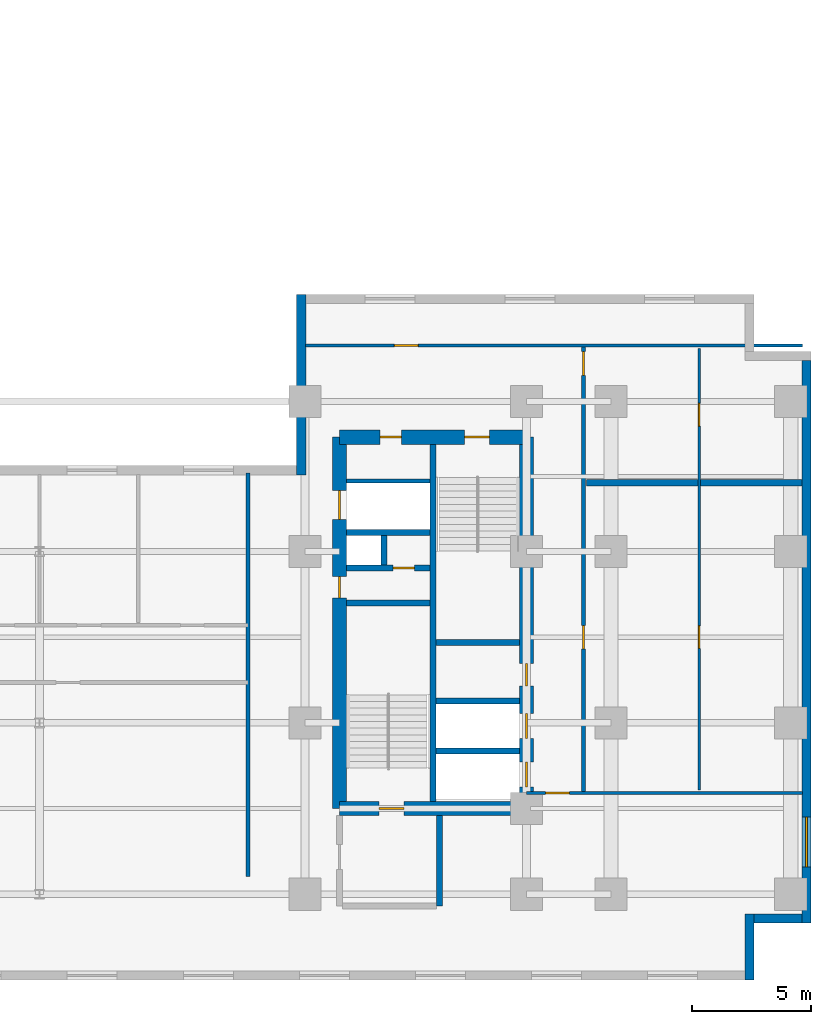
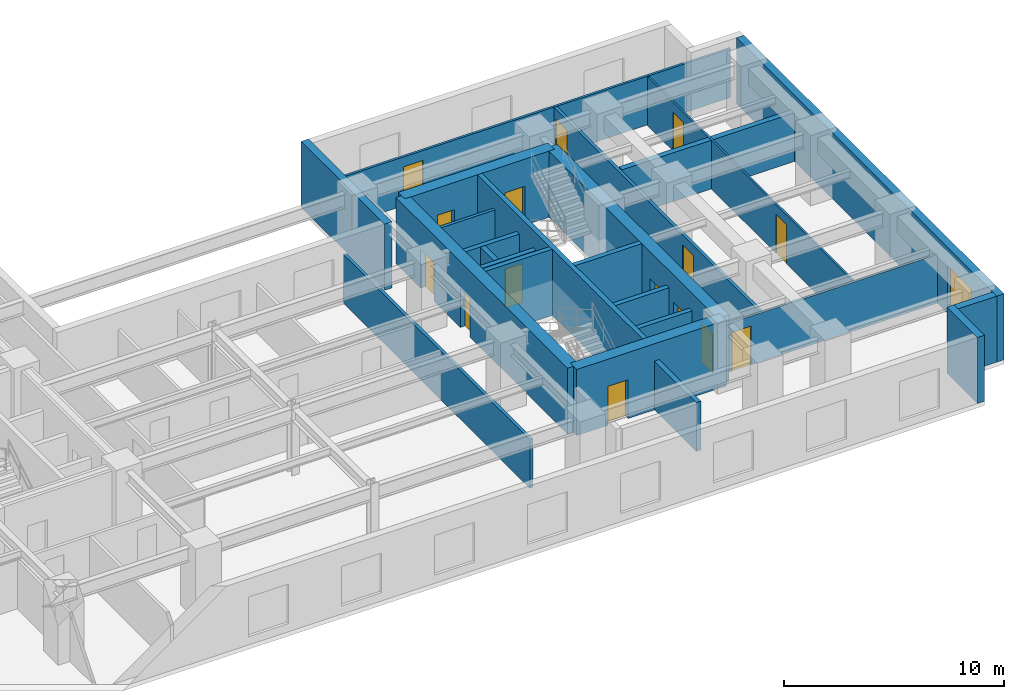
# One storey, part 5 of 9: 24 walls, 15 doors, 1 window, 16 openings.
"""IFC4 building model written with IfcOpenShell, lengths in metres."""

from ifc_helpers import new_model, entity, si_unit, converted_unit, direction, frame, origin_with_axes, origin_2d_with_axis, place, context, subcontext, project, spatial, polyline, rectangle, outline, extrude, material, layer, layer_set, type_object, element, fill, save


model = new_model("IFC4")

# Units and contexts
model_context = context("Model", 3, precision=1e-05, world=origin_with_axes(), true_north=direction((0.0, 1.0)))
body_context = subcontext(model_context, "Body", "Model", "MODEL_VIEW")
ifc_project = project(units=[si_unit("LENGTHUNIT", "METRE"), si_unit("AREAUNIT", "SQUARE_METRE"), si_unit("VOLUMEUNIT", "CUBIC_METRE"), converted_unit("PLANEANGLEUNIT", "DEGREE", entity("IfcPlaneAngleMeasure", 0.017453292519943295), si_unit("PLANEANGLEUNIT", "RADIAN"), dimensions=[0, 0, 0, 0, 0, 0, 0]), si_unit("MASSUNIT", "GRAM", prefix="KILO"), si_unit("THERMODYNAMICTEMPERATUREUNIT", "KELVIN")], contexts=[model_context])

# Site, building, storey
site_placement = place(None, origin_with_axes())
site = spatial("IfcSite", under=ifc_project, at=site_placement, CompositionType="ELEMENT")
building_placement = place(site_placement, origin_with_axes())
building = spatial("IfcBuilding", under=site, at=building_placement, Name="Varnlund Millrace Tower", CompositionType="ELEMENT")
storey_placement = place(building_placement, frame((0.0, 0.0, 63.9), z_axis=(0.0, 0.0, 1.0), x_axis=(1.0, 0.0, 0.0)))
storey = spatial("IfcBuildingStorey", under=building, at=storey_placement, Name="L15", CompositionType="ELEMENT", Elevation=63.9)

# Wall, openings, doors
ifc_material_1 = material(Name="Concrete C80/95", Category="concrete")
ifc_layer_1 = layer(ifc_material_1, 0.6, Name="Concrete C80/95")
ifc_layer_set_1 = layer_set([ifc_layer_1], Name="Concrete C80/95")
wall_type_1 = type_object("IfcWallType", Name="Type-CoreWall-Shear-600-C80", PredefinedType="SHEAR", material=ifc_layer_set_1)
wall_1_placement = place(storey_placement, frame((40.2, 7.2, 0.0), z_axis=(0.0, 0.0, 1.0), x_axis=(0.0, 1.0, 0.0)))
wall_1 = element("IfcWall", 1, at=wall_1_placement, inside=storey, type_object=wall_type_1, Name="Type-CoreWall-Shear-600-C80", PredefinedType="SHEAR", context=body_context, shape_type="SweptSolid", body=[
    extrude(outline(polyline([(0.0, -0.3), (15.6, -0.3), (15.6, 0.3), (0.0, 0.3), (0.0, -0.3)])), origin_with_axes(), (0.0, 0.0, 1.0), 3.66),
])
opening_1_placement = place(wall_1_placement, frame((12.75, 0.0, 0.0), z_axis=(0.0, 0.0, 1.0), x_axis=(1.0, 0.0, 0.0)))
opening_1 = element("IfcOpeningElement", 2, at=opening_1_placement, cuts=wall_1, Name="Opening L15:LD-SRV2", PredefinedType="OPENING", context=body_context, shape_type="SweptSolid", body=[
    extrude(rectangle(XDim=1.2, YDim=0.62, at=origin_2d_with_axis()), origin_with_axes(), (0.0, 0.0, 1.0), 2.15),
])
opening_2_placement = place(wall_1_placement, frame((9.3, 0.0, 0.0), z_axis=(0.0, 0.0, 1.0), x_axis=(1.0, 0.0, 0.0)))
opening_2 = element("IfcOpeningElement", 3, at=opening_2_placement, cuts=wall_1, Name="Opening L15:DR-CB-JAN", PredefinedType="OPENING", context=body_context, shape_type="SweptSolid", body=[
    extrude(rectangle(XDim=0.9, YDim=0.62, at=origin_2d_with_axis()), origin_with_axes(), (0.0, 0.0, 1.0), 2.15),
])
ifc_material_2 = material(Name="Fire-rated hollow steel service closet door", Category="steel")
door_type_1 = type_object("IfcDoorType", Name="Type-FireDoor-Closet-900X2150", OperationType="NOTDEFINED", PredefinedType="DOOR", material=ifc_material_2)
door_1_placement = place(wall_1_placement, frame((9.3, 0.0, 0.0), z_axis=(0.0, 0.0, 1.0), x_axis=(1.0, 0.0, 0.0)))
door_1 = element("IfcDoor", 4, at=door_1_placement, inside=storey, type_object=door_type_1, Name="Type-FireDoor-Closet-900X2150", OperationType="SINGLE_SWING_RIGHT", OverallHeight=2.15, OverallWidth=0.9, PredefinedType="DOOR", context=body_context, shape_type="SweptSolid", body=[
    extrude(rectangle(XDim=0.9, YDim=0.09, at=origin_2d_with_axis()), origin_with_axes(), (0.0, 0.0, 1.0), 2.15),
])
fill(opening_2, door_1)
ifc_material_3 = material(Name="Heavy-duty freight sliding landing door")
door_type_2 = type_object("IfcDoorType", Name="Type-LiftLandingDoor-Service-1200X2150", OperationType="NOTDEFINED", PredefinedType="DOOR", material=ifc_material_3)
door_2_placement = place(wall_1_placement, frame((12.75, 0.0, 0.0), z_axis=(0.0, 0.0, 1.0), x_axis=(1.0, 0.0, 0.0)))
door_2 = element("IfcDoor", 5, at=door_2_placement, inside=storey, type_object=door_type_2, Name="Type-LiftLandingDoor-Service-1200X2150", OperationType="DOUBLE_DOOR_SLIDING", OverallHeight=2.15, OverallWidth=1.2, PredefinedType="DOOR", context=body_context, shape_type="SweptSolid", body=[
    extrude(rectangle(XDim=1.2, YDim=0.09, at=origin_2d_with_axis()), origin_with_axes(), (0.0, 0.0, 1.0), 2.15),
])
fill(opening_1, door_2)

# Wall, opening, door
wall_2_placement = place(storey_placement, frame((40.2, 7.2, 0.0), z_axis=(0.0, 0.0, 1.0), x_axis=(1.0, 0.0, 0.0)))
wall_2 = element("IfcWall", 6, at=wall_2_placement, inside=storey, type_object=wall_type_1, Name="Type-CoreWall-Shear-600-C80", PredefinedType="SHEAR", context=body_context, shape_type="SweptSolid", body=[
    extrude(outline(polyline([(0.0, -0.3), (7.85, -0.3), (7.85, 0.3), (0.0, 0.3), (0.0, -0.3)])), origin_with_axes(), (0.0, 0.0, 1.0), 3.66),
])
opening_3_placement = place(wall_2_placement, frame((2.175, 0.0, 0.0), z_axis=(0.0, 0.0, 1.0), x_axis=(1.0, 0.0, 0.0)))
opening_3 = element("IfcOpeningElement", 7, at=opening_3_placement, cuts=wall_2, Name="Opening L15:DR-STB1", PredefinedType="OPENING", context=body_context, shape_type="SweptSolid", body=[
    extrude(rectangle(XDim=1.05, YDim=0.62, at=origin_2d_with_axis()), origin_with_axes(), (0.0, 0.0, 1.0), 2.15),
])
ifc_material_4 = material(Name="Fire-rated hollow steel door", Category="steel")
door_type_3 = type_object("IfcDoorType", Name="Type-FireDoor-Stair-1050X2150", OperationType="NOTDEFINED", PredefinedType="DOOR", material=ifc_material_4)
door_3_placement = place(wall_2_placement, frame((2.175, 0.0, 0.0), z_axis=(0.0, 0.0, 1.0), x_axis=(1.0, 0.0, 0.0)))
door_3 = element("IfcDoor", 8, at=door_3_placement, inside=storey, type_object=door_type_3, Name="Type-FireDoor-Stair-1050X2150", OperationType="SINGLE_SWING_LEFT", OverallHeight=2.15, OverallWidth=1.05, PredefinedType="DOOR", context=body_context, shape_type="SweptSolid", body=[
    extrude(rectangle(XDim=1.05, YDim=0.09, at=origin_2d_with_axis()), origin_with_axes(), (0.0, 0.0, 1.0), 2.15),
])
fill(opening_3, door_3)

# Wall, openings, doors
wall_3_placement = place(storey_placement, frame((40.2, 22.8, 0.0), z_axis=(0.0, 0.0, 1.0), x_axis=(1.0, 0.0, 0.0)))
wall_3 = element("IfcWall", 9, at=wall_3_placement, inside=storey, type_object=wall_type_1, Name="Type-CoreWall-Shear-600-C80", PredefinedType="SHEAR", context=body_context, shape_type="SweptSolid", body=[
    extrude(outline(polyline([(0.0, -0.3), (7.85, -0.3), (7.85, 0.3), (0.0, 0.3), (0.0, -0.3)])), origin_with_axes(), (0.0, 0.0, 1.0), 3.66),
])
opening_4_placement = place(wall_3_placement, frame((5.775, 0.0, 0.0), z_axis=(0.0, 0.0, 1.0), x_axis=(1.0, 0.0, 0.0)))
opening_4 = element("IfcOpeningElement", 10, at=opening_4_placement, cuts=wall_3, Name="Opening L15:DR-STB2", PredefinedType="OPENING", context=body_context, shape_type="SweptSolid", body=[
    extrude(rectangle(XDim=1.05, YDim=0.62, at=origin_2d_with_axis()), origin_with_axes(), (0.0, 0.0, 1.0), 2.15),
])
opening_5_placement = place(wall_3_placement, frame((2.15, 0.0, 0.0), z_axis=(0.0, 0.0, 1.0), x_axis=(1.0, 0.0, 0.0)))
opening_5 = element("IfcOpeningElement", 11, at=opening_5_placement, cuts=wall_3, Name="Opening L15:DR-CB-NW", PredefinedType="OPENING", context=body_context, shape_type="SweptSolid", body=[
    extrude(rectangle(XDim=0.9, YDim=0.62, at=origin_2d_with_axis()), origin_with_axes(), (0.0, 0.0, 1.0), 2.15),
])
door_4_placement = place(wall_3_placement, frame((2.15, 0.0, 0.0), z_axis=(0.0, 0.0, 1.0), x_axis=(1.0, 0.0, 0.0)))
door_4 = element("IfcDoor", 12, at=door_4_placement, inside=storey, type_object=door_type_1, Name="Type-FireDoor-Closet-900X2150", OperationType="SINGLE_SWING_LEFT", OverallHeight=2.15, OverallWidth=0.9, PredefinedType="DOOR", context=body_context, shape_type="SweptSolid", body=[
    extrude(rectangle(XDim=0.9, YDim=0.09, at=origin_2d_with_axis()), origin_with_axes(), (0.0, 0.0, 1.0), 2.15),
])
fill(opening_5, door_4)
door_5_placement = place(wall_3_placement, frame((5.775, 0.0, 0.0), z_axis=(0.0, 0.0, 1.0), x_axis=(1.0, 0.0, 0.0)))
door_5 = element("IfcDoor", 13, at=door_5_placement, inside=storey, type_object=door_type_3, Name="Type-FireDoor-Stair-1050X2150", OperationType="SINGLE_SWING_RIGHT", OverallHeight=2.15, OverallWidth=1.05, PredefinedType="DOOR", context=body_context, shape_type="SweptSolid", body=[
    extrude(rectangle(XDim=1.05, YDim=0.09, at=origin_2d_with_axis()), origin_with_axes(), (0.0, 0.0, 1.0), 2.15),
])
fill(opening_4, door_5)

wall_4_placement = place(storey_placement, frame((48.05, 7.2, 0.0), z_axis=(0.0, 0.0, 1.0), x_axis=(0.0, 1.0, 0.0)))
wall_4 = element("IfcWall", 14, at=wall_4_placement, inside=storey, type_object=wall_type_1, Name="Type-CoreWall-Shear-600-C80", PredefinedType="SHEAR", context=body_context, shape_type="SweptSolid", body=[
    extrude(outline(polyline([(0.0, -0.3), (15.6, -0.3), (15.6, 0.3), (0.0, 0.3), (0.0, -0.3)])), origin_with_axes(), (0.0, 0.0, 1.0), 3.66),
])
opening_6_placement = place(wall_4_placement, frame((1.425, 0.0, 0.0), z_axis=(0.0, 0.0, 1.0), x_axis=(1.0, 0.0, 0.0)))
opening_6 = element("IfcOpeningElement", 15, at=opening_6_placement, cuts=wall_4, Name="Opening L15:LD-ELV-L3", PredefinedType="OPENING", context=body_context, shape_type="SweptSolid", body=[
    extrude(rectangle(XDim=1.05, YDim=0.62, at=origin_2d_with_axis()), origin_with_axes(), (0.0, 0.0, 1.0), 2.15),
])
opening_7_placement = place(wall_4_placement, frame((3.475, 0.0, 0.0), z_axis=(0.0, 0.0, 1.0), x_axis=(1.0, 0.0, 0.0)))
opening_7 = element("IfcOpeningElement", 16, at=opening_7_placement, cuts=wall_4, Name="Opening L15:LD-ELV-L4", PredefinedType="OPENING", context=body_context, shape_type="SweptSolid", body=[
    extrude(rectangle(XDim=1.05, YDim=0.62, at=origin_2d_with_axis()), origin_with_axes(), (0.0, 0.0, 1.0), 2.15),
])
opening_8_placement = place(wall_4_placement, frame((5.625, 0.0, 0.0), z_axis=(0.0, 0.0, 1.0), x_axis=(1.0, 0.0, 0.0)))
opening_8 = element("IfcOpeningElement", 17, at=opening_8_placement, cuts=wall_4, Name="Opening L15:DR-CB-WC", PredefinedType="OPENING", context=body_context, shape_type="SweptSolid", body=[
    extrude(rectangle(XDim=0.95, YDim=0.62, at=origin_2d_with_axis()), origin_with_axes(), (0.0, 0.0, 1.0), 2.15),
])
ifc_material_5 = material(Name="Fire-rated hollow steel core service door", Category="steel")
door_type_4 = type_object("IfcDoorType", Name="Type-FireDoor-Service-950X2150", OperationType="NOTDEFINED", PredefinedType="DOOR", material=ifc_material_5)
door_6_placement = place(wall_4_placement, frame((5.625, 0.0, 0.0), z_axis=(0.0, 0.0, 1.0), x_axis=(1.0, 0.0, 0.0)))
door_6 = element("IfcDoor", 18, at=door_6_placement, inside=storey, type_object=door_type_4, Name="Type-FireDoor-Service-950X2150", OperationType="SINGLE_SWING_LEFT", OverallHeight=2.15, OverallWidth=0.95, PredefinedType="DOOR", context=body_context, shape_type="SweptSolid", body=[
    extrude(rectangle(XDim=0.95, YDim=0.09, at=origin_2d_with_axis()), origin_with_axes(), (0.0, 0.0, 1.0), 2.15),
])
fill(opening_8, door_6)
ifc_material_6 = material(Name="Architectural bronze sliding landing door")
door_type_5 = type_object("IfcDoorType", Name="Type-LiftLandingDoor-Compact-1050X2150", OperationType="NOTDEFINED", PredefinedType="DOOR", material=ifc_material_6)
door_7_placement = place(wall_4_placement, frame((1.425, 0.0, 0.0), z_axis=(0.0, 0.0, 1.0), x_axis=(1.0, 0.0, 0.0)))
door_7 = element("IfcDoor", 19, at=door_7_placement, inside=storey, type_object=door_type_5, Name="Type-LiftLandingDoor-Compact-1050X2150", OperationType="SLIDING_TO_LEFT", OverallHeight=2.15, OverallWidth=1.05, PredefinedType="DOOR", context=body_context, shape_type="SweptSolid", body=[
    extrude(rectangle(XDim=1.05, YDim=0.09, at=origin_2d_with_axis()), origin_with_axes(), (0.0, 0.0, 1.0), 2.15),
])
fill(opening_6, door_7)
door_8_placement = place(wall_4_placement, frame((3.475, 0.0, 0.0), z_axis=(0.0, 0.0, 1.0), x_axis=(1.0, 0.0, 0.0)))
door_8 = element("IfcDoor", 20, at=door_8_placement, inside=storey, type_object=door_type_5, Name="Type-LiftLandingDoor-Compact-1050X2150", OperationType="SLIDING_TO_RIGHT", OverallHeight=2.15, OverallWidth=1.05, PredefinedType="DOOR", context=body_context, shape_type="SweptSolid", body=[
    extrude(rectangle(XDim=1.05, YDim=0.09, at=origin_2d_with_axis()), origin_with_axes(), (0.0, 0.0, 1.0), 2.15),
])
fill(opening_7, door_8)

# Wall
ifc_material_7 = material(Name="Precast concrete C50/60", Category="concrete")
ifc_layer_2 = layer(ifc_material_7, 0.38, Name="Precast concrete C50/60")
ifc_layer_set_2 = layer_set([ifc_layer_2], Name="Precast concrete C50/60")
wall_type_2 = type_object("IfcWallType", Name="Type-ExtWall-Precast-Tube-380", PredefinedType="SOLIDWALL", material=ifc_layer_set_2)
wall_5_placement = place(storey_placement, frame((38.59, 21.22, 0.0), z_axis=(0.0, 0.0, 1.0), x_axis=(0.0, 1.0, 0.0)))
element("IfcWall", 21, at=wall_5_placement, inside=storey, type_object=wall_type_2, Name="Type-ExtWall-Precast-Tube-380", PredefinedType="SOLIDWALL", context=body_context, shape_type="SweptSolid", body=[
    extrude(outline(polyline([(0.0, -0.19), (7.58, -0.19), (7.58, 0.19), (0.0, 0.19), (0.0, -0.19)])), origin_with_axes(), (0.0, 0.0, 1.0), 3.66),
])

# Wall, opening, window
wall_6_placement = place(storey_placement, frame((59.81, 26.02, 0.0), z_axis=(0.0, 0.0, 1.0), x_axis=(0.0, -1.0, 0.0)))
wall_6 = element("IfcWall", 22, at=wall_6_placement, inside=storey, type_object=wall_type_2, Name="Type-ExtWall-Precast-Tube-380", PredefinedType="SOLIDWALL", context=body_context, shape_type="SweptSolid", body=[
    extrude(outline(polyline([(0.0, -0.19), (23.62, -0.19), (23.62, 0.19), (0.0, 0.19), (0.0, -0.19)])), origin_with_axes(), (0.0, 0.0, 1.0), 3.66),
])
opening_9_placement = place(wall_6_placement, frame((20.218, 0.0, 0.45), z_axis=(0.0, 0.0, 1.0), x_axis=(1.0, 0.0, 0.0)))
opening_9 = element("IfcOpeningElement", 23, at=opening_9_placement, cuts=wall_6, Name="Opening L15:WN-04", PredefinedType="OPENING", context=body_context, shape_type="SweptSolid", body=[
    extrude(rectangle(XDim=2.1, YDim=0.4, at=origin_2d_with_axis()), origin_with_axes(), (0.0, 0.0, 1.0), 2.2),
])
ifc_material_8 = material(Name="Argon low-e triple glazing in thermally broken bronze frame", Category="glass")
window_type = type_object("IfcWindowType", Name="Type-Window-Punched-2100X2200", PartitioningType="SINGLE_PANEL", PredefinedType="WINDOW", material=ifc_material_8)
window_placement = place(wall_6_placement, frame((20.218, 0.0, 0.45), z_axis=(0.0, 0.0, 1.0), x_axis=(1.0, 0.0, 0.0)))
window = element("IfcWindow", 24, at=window_placement, inside=storey, type_object=window_type, Name="Type-Window-Punched-2100X2200", OverallHeight=2.2, OverallWidth=2.1, PredefinedType="WINDOW", context=body_context, shape_type="SweptSolid", body=[
    extrude(rectangle(XDim=2.1, YDim=0.09, at=origin_2d_with_axis()), origin_with_axes(), (0.0, 0.0, 1.0), 2.2),
])
fill(opening_9, window)

# Walls
wall_7_placement = place(storey_placement, frame((59.62, 2.59, 0.0), z_axis=(0.0, 0.0, 1.0), x_axis=(-1.0, 0.0, 0.0)))
element("IfcWall", 25, at=wall_7_placement, inside=storey, type_object=wall_type_2, Name="Type-ExtWall-Precast-Tube-380", PredefinedType="SOLIDWALL", context=body_context, shape_type="SweptSolid", body=[
    extrude(outline(polyline([(0.0, -0.19), (2.02, -0.19), (2.02, 0.19), (0.0, 0.19), (0.0, -0.19)])), origin_with_axes(), (0.0, 0.0, 1.0), 3.66),
])
wall_8_placement = place(storey_placement, frame((57.41, 2.78, 0.0), z_axis=(0.0, 0.0, 1.0), x_axis=(0.0, -1.0, 0.0)))
element("IfcWall", 26, at=wall_8_placement, inside=storey, type_object=wall_type_2, Name="Type-ExtWall-Precast-Tube-380", PredefinedType="SOLIDWALL", context=body_context, shape_type="SweptSolid", body=[
    extrude(outline(polyline([(0.0, -0.19), (2.78, -0.19), (2.78, 0.19), (0.0, 0.19), (0.0, -0.19)])), origin_with_axes(), (0.0, 0.0, 1.0), 3.66),
])
ifc_material_9 = material(Name="Double-stud STC-60 conference acoustic partition", Category="gypsum")
ifc_layer_3 = layer(ifc_material_9, 0.28, Name="Double-stud STC-60 conference acoustic partition")
ifc_layer_set_3 = layer_set([ifc_layer_3], Name="Double-stud STC-60 conference acoustic partition")
wall_type_3 = type_object("IfcWallType", Name="Type-Partition-Acoustic-280", PredefinedType="PARTITIONING", material=ifc_layer_set_3)
wall_9_placement = place(storey_placement, frame((50.57, 20.888, 0.0), z_axis=(0.0, 0.0, 1.0), x_axis=(1.0, 0.0, 0.0)))
element("IfcWall", 27, at=wall_9_placement, inside=storey, type_object=wall_type_3, Name="Type-Partition-Acoustic-280", PredefinedType="PARTITIONING", context=body_context, shape_type="SweptSolid", body=[
    extrude(outline(polyline([(0.0, -0.14), (9.055, -0.14), (9.055, 0.14), (0.0, 0.14), (0.0, -0.14)])), origin_with_axes(), (0.0, 0.0, 1.0), 2.7),
])
ifc_material_10 = material(Name="Fire-rated gypsum board on cold-formed steel framing", Category="steel")
ifc_layer_4 = layer(ifc_material_10, 0.16, Name="Fire-rated gypsum board on cold-formed steel framing")
ifc_layer_set_4 = layer_set([ifc_layer_4], Name="Fire-rated gypsum board on cold-formed steel framing")
wall_type_4 = type_object("IfcWallType", Name="Type-Partition-Corridor-160", PredefinedType="PARTITIONING", material=ifc_layer_set_4)
wall_10_placement = place(storey_placement, frame((40.5, 20.96, 0.0), z_axis=(0.0, 0.0, 1.0), x_axis=(1.0, 0.0, 0.0)))
element("IfcWall", 28, at=wall_10_placement, inside=storey, type_object=wall_type_4, Name="Type-Partition-Corridor-160", PredefinedType="PARTITIONING", context=body_context, shape_type="SweptSolid", body=[
    extrude(outline(polyline([(0.0, -0.08), (3.5, -0.08), (3.5, 0.08), (0.0, 0.08), (0.0, -0.08)])), origin_with_axes(), (0.0, 0.0, 1.0), 2.7),
])
wall_11_placement = place(storey_placement, frame((36.35, 4.35, 0.0), z_axis=(0.0, 0.0, 1.0), x_axis=(0.0, 1.0, 0.0)))
element("IfcWall", 29, at=wall_11_placement, inside=storey, type_object=wall_type_4, Name="Type-Partition-Corridor-160", PredefinedType="PARTITIONING", context=body_context, shape_type="SweptSolid", body=[
    extrude(outline(polyline([(0.0, -0.08), (16.95, -0.08), (16.95, 0.08), (0.0, 0.08), (0.0, -0.08)])), origin_with_axes(), (0.0, 0.0, 1.0), 2.7),
])

# Wall, openings, doors
wall_12_placement = place(storey_placement, frame((50.45, 7.85, 0.0), z_axis=(0.0, 0.0, 1.0), x_axis=(0.0, 1.0, 0.0)))
wall_12 = element("IfcWall", 30, at=wall_12_placement, inside=storey, type_object=wall_type_4, Name="Type-Partition-Corridor-160", PredefinedType="PARTITIONING", context=body_context, shape_type="SweptSolid", body=[
    extrude(outline(polyline([(0.0, -0.08), (18.8, -0.08), (18.8, 0.08), (0.0, 0.08), (0.0, -0.08)])), origin_with_axes(), (0.0, 0.0, 1.0), 2.7),
])
opening_10_placement = place(wall_12_placement, frame((6.549, 0.0, 0.0), z_axis=(0.0, 0.0, 1.0), x_axis=(1.0, 0.0, 0.0)))
opening_10 = element("IfcOpeningElement", 31, at=opening_10_placement, cuts=wall_12, Name="Opening L15:DR-WB-01", PredefinedType="OPENING", context=body_context, shape_type="SweptSolid", body=[
    extrude(rectangle(XDim=1.0, YDim=0.18, at=origin_2d_with_axis()), origin_with_axes(), (0.0, 0.0, 1.0), 2.15),
])
opening_11_placement = place(wall_12_placement, frame((18.039, 0.0, 0.0), z_axis=(0.0, 0.0, 1.0), x_axis=(1.0, 0.0, 0.0)))
opening_11 = element("IfcOpeningElement", 32, at=opening_11_placement, cuts=wall_12, Name="Opening L15:DR-WB-02", PredefinedType="OPENING", context=body_context, shape_type="SweptSolid", body=[
    extrude(rectangle(XDim=1.0, YDim=0.18, at=origin_2d_with_axis()), origin_with_axes(), (0.0, 0.0, 1.0), 2.15),
])
ifc_material_11 = material(Name="Solid-core white oak and bronze frame door")
door_type_6 = type_object("IfcDoorType", Name="Type-IntDoor-Office-1000X2150", OperationType="NOTDEFINED", PredefinedType="DOOR", material=ifc_material_11)
door_9_placement = place(wall_12_placement, frame((6.549, 0.0, 0.0), z_axis=(0.0, 0.0, 1.0), x_axis=(1.0, 0.0, 0.0)))
door_9 = element("IfcDoor", 33, at=door_9_placement, inside=storey, type_object=door_type_6, Name="Type-IntDoor-Office-1000X2150", OperationType="SINGLE_SWING_LEFT", OverallHeight=2.15, OverallWidth=1.0, PredefinedType="DOOR", context=body_context, shape_type="SweptSolid", body=[
    extrude(rectangle(XDim=1.0, YDim=0.09, at=origin_2d_with_axis()), origin_with_axes(), (0.0, 0.0, 1.0), 2.15),
])
fill(opening_10, door_9)
door_10_placement = place(wall_12_placement, frame((18.039, 0.0, 0.0), z_axis=(0.0, 0.0, 1.0), x_axis=(1.0, 0.0, 0.0)))
door_10 = element("IfcDoor", 34, at=door_10_placement, inside=storey, type_object=door_type_6, Name="Type-IntDoor-Office-1000X2150", OperationType="SINGLE_SWING_RIGHT", OverallHeight=2.15, OverallWidth=1.0, PredefinedType="DOOR", context=body_context, shape_type="SweptSolid", body=[
    extrude(rectangle(XDim=1.0, YDim=0.09, at=origin_2d_with_axis()), origin_with_axes(), (0.0, 0.0, 1.0), 2.15),
])
fill(opening_11, door_10)

ifc_material_12 = material(Name="Architectural bronze and acoustic glass office front", Category="glass")
ifc_layer_5 = layer(ifc_material_12, 0.1, Name="Architectural bronze and acoustic glass office front")
ifc_layer_set_5 = layer_set([ifc_layer_5], Name="Architectural bronze and acoustic glass office front")
wall_type_5 = type_object("IfcWallType", Name="Type-Partition-Glazed-100", PredefinedType="PARTITIONING", material=ifc_layer_set_5)
wall_13_placement = place(storey_placement, frame((55.3, 7.98, 0.0), z_axis=(0.0, 0.0, 1.0), x_axis=(0.0, 1.0, 0.0)))
wall_13 = element("IfcWall", 35, at=wall_13_placement, inside=storey, type_object=wall_type_5, Name="Type-Partition-Glazed-100", PredefinedType="PARTITIONING", context=body_context, shape_type="SweptSolid", body=[
    extrude(outline(polyline([(0.0, -0.05), (18.54, -0.05), (18.54, 0.05), (0.0, 0.05), (0.0, -0.05)])), origin_with_axes(), (0.0, 0.0, 1.0), 2.7),
])
opening_12_placement = place(wall_13_placement, frame((6.419, 0.0, 0.0), z_axis=(0.0, 0.0, 1.0), x_axis=(1.0, 0.0, 0.0)))
opening_12 = element("IfcOpeningElement", 36, at=opening_12_placement, cuts=wall_13, Name="Opening L15:DR-WB-S01", PredefinedType="OPENING", context=body_context, shape_type="SweptSolid", body=[
    extrude(rectangle(XDim=0.95, YDim=0.12, at=origin_2d_with_axis()), origin_with_axes(), (0.0, 0.0, 1.0), 2.15),
])
opening_13_placement = place(wall_13_placement, frame((15.759, 0.0, 0.0), z_axis=(0.0, 0.0, 1.0), x_axis=(1.0, 0.0, 0.0)))
opening_13 = element("IfcOpeningElement", 37, at=opening_13_placement, cuts=wall_13, Name="Opening L15:DR-WB-S02", PredefinedType="OPENING", context=body_context, shape_type="SweptSolid", body=[
    extrude(rectangle(XDim=0.95, YDim=0.12, at=origin_2d_with_axis()), origin_with_axes(), (0.0, 0.0, 1.0), 2.15),
])
ifc_material_13 = material(Name="Solid-core acoustic office door")
door_type_7 = type_object("IfcDoorType", Name="Type-IntDoor-Tenant-950X2150", OperationType="NOTDEFINED", PredefinedType="DOOR", material=ifc_material_13)
door_11_placement = place(wall_13_placement, frame((6.419, 0.0, 0.0), z_axis=(0.0, 0.0, 1.0), x_axis=(1.0, 0.0, 0.0)))
door_11 = element("IfcDoor", 38, at=door_11_placement, inside=storey, type_object=door_type_7, Name="Type-IntDoor-Tenant-950X2150", OperationType="SINGLE_SWING_LEFT", OverallHeight=2.15, OverallWidth=0.95, PredefinedType="DOOR", context=body_context, shape_type="SweptSolid", body=[
    extrude(rectangle(XDim=0.95, YDim=0.06, at=origin_2d_with_axis()), origin_with_axes(), (0.0, 0.0, 1.0), 2.15),
])
fill(opening_12, door_11)
door_12_placement = place(wall_13_placement, frame((15.759, 0.0, 0.0), z_axis=(0.0, 0.0, 1.0), x_axis=(1.0, 0.0, 0.0)))
door_12 = element("IfcDoor", 39, at=door_12_placement, inside=storey, type_object=door_type_7, Name="Type-IntDoor-Tenant-950X2150", OperationType="SINGLE_SWING_LEFT", OverallHeight=2.15, OverallWidth=0.95, PredefinedType="DOOR", context=body_context, shape_type="SweptSolid", body=[
    extrude(rectangle(XDim=0.95, YDim=0.06, at=origin_2d_with_axis()), origin_with_axes(), (0.0, 0.0, 1.0), 2.15),
])
fill(opening_13, door_12)

# Wall, opening, door
ifc_material_14 = material(Name="Gypsum board tenant partition", Category="gypsum")
ifc_layer_6 = layer(ifc_material_14, 0.125, Name="Gypsum board tenant partition")
ifc_layer_set_6 = layer_set([ifc_layer_6], Name="Gypsum board tenant partition")
wall_type_6 = type_object("IfcWallType", Name="Type-Partition-Tenant-125", PredefinedType="PARTITIONING", material=ifc_layer_set_6)
wall_14_placement = place(storey_placement, frame((59.64, 7.85, 0.0), z_axis=(0.0, 0.0, 1.0), x_axis=(-1.0, 0.0, 0.0)))
wall_14 = element("IfcWall", 40, at=wall_14_placement, inside=storey, type_object=wall_type_6, Name="Type-Partition-Tenant-125", PredefinedType="PARTITIONING", context=body_context, shape_type="SweptSolid", body=[
    extrude(outline(polyline([(0.0, -0.0625), (11.59, -0.0625), (11.59, 0.0625), (0.0, 0.0625), (0.0, -0.0625)])), origin_with_axes(), (0.0, 0.0, 1.0), 2.7),
])
opening_14_placement = place(wall_14_placement, frame((10.29, 0.0, 0.0), z_axis=(0.0, 0.0, 1.0), x_axis=(1.0, 0.0, 0.0)))
opening_14 = element("IfcOpeningElement", 41, at=opening_14_placement, cuts=wall_14, Name="Opening L15:DR-WBS-01", PredefinedType="OPENING", context=body_context, shape_type="SweptSolid", body=[
    extrude(rectangle(XDim=1.0, YDim=0.145, at=origin_2d_with_axis()), origin_with_axes(), (0.0, 0.0, 1.0), 2.15),
])
door_13_placement = place(wall_14_placement, frame((10.29, 0.0, 0.0), z_axis=(0.0, 0.0, 1.0), x_axis=(1.0, 0.0, 0.0)))
door_13 = element("IfcDoor", 42, at=door_13_placement, inside=storey, type_object=door_type_6, Name="Type-IntDoor-Office-1000X2150", OperationType="SINGLE_SWING_LEFT", OverallHeight=2.15, OverallWidth=1.0, PredefinedType="DOOR", context=body_context, shape_type="SweptSolid", body=[
    extrude(rectangle(XDim=1.0, YDim=0.075, at=origin_2d_with_axis()), origin_with_axes(), (0.0, 0.0, 1.0), 2.15),
])
fill(opening_14, door_13)

wall_15_placement = place(storey_placement, frame((38.76, 26.65, 0.0), z_axis=(0.0, 0.0, 1.0), x_axis=(1.0, 0.0, 0.0)))
wall_15 = element("IfcWall", 43, at=wall_15_placement, inside=storey, type_object=wall_type_6, Name="Type-Partition-Tenant-125", PredefinedType="PARTITIONING", context=body_context, shape_type="SweptSolid", body=[
    extrude(outline(polyline([(0.0, -0.0625), (20.88, -0.0625), (20.88, 0.0625), (0.0, 0.0625), (0.0, -0.0625)])), origin_with_axes(), (0.0, 0.0, 1.0), 2.7),
])
opening_15_placement = place(wall_15_placement, frame((4.24, 0.0, 0.0), z_axis=(0.0, 0.0, 1.0), x_axis=(1.0, 0.0, 0.0)))
opening_15 = element("IfcOpeningElement", 44, at=opening_15_placement, cuts=wall_15, Name="Opening L15:DR-WBN-01", PredefinedType="OPENING", context=body_context, shape_type="SweptSolid", body=[
    extrude(rectangle(XDim=1.0, YDim=0.145, at=origin_2d_with_axis()), origin_with_axes(), (0.0, 0.0, 1.0), 2.15),
])
door_14_placement = place(wall_15_placement, frame((4.24, 0.0, 0.0), z_axis=(0.0, 0.0, 1.0), x_axis=(1.0, 0.0, 0.0)))
door_14 = element("IfcDoor", 45, at=door_14_placement, inside=storey, type_object=door_type_6, Name="Type-IntDoor-Office-1000X2150", OperationType="SINGLE_SWING_RIGHT", OverallHeight=2.15, OverallWidth=1.0, PredefinedType="DOOR", context=body_context, shape_type="SweptSolid", body=[
    extrude(rectangle(XDim=1.0, YDim=0.075, at=origin_2d_with_axis()), origin_with_axes(), (0.0, 0.0, 1.0), 2.15),
])
fill(opening_15, door_14)

ifc_material_15 = material(Name="Concrete C60/75", Category="concrete")
ifc_layer_7 = layer(ifc_material_15, 0.25, Name="Concrete C60/75")
ifc_layer_set_7 = layer_set([ifc_layer_7], Name="Concrete C60/75")
wall_type_7 = type_object("IfcWallType", Name="Type-ShaftWall-Fire-250", PredefinedType="SOLIDWALL", material=ifc_layer_set_7)
wall_16_placement = place(storey_placement, frame((40.5, 17.3, 0.0), z_axis=(0.0, 0.0, 1.0), x_axis=(1.0, 0.0, 0.0)))
wall_16 = element("IfcWall", 46, at=wall_16_placement, inside=storey, type_object=wall_type_7, Name="Type-ShaftWall-Fire-250", PredefinedType="SOLIDWALL", context=body_context, shape_type="SweptSolid", body=[
    extrude(outline(polyline([(0.0, -0.125), (3.5, -0.125), (3.5, 0.125), (0.0, 0.125), (0.0, -0.125)])), origin_with_axes(), (0.0, 0.0, 1.0), 2.7),
])
opening_16_placement = place(wall_16_placement, frame((2.4, 0.0, 0.0), z_axis=(0.0, 0.0, 1.0), x_axis=(1.0, 0.0, 0.0)))
opening_16 = element("IfcOpeningElement", 47, at=opening_16_placement, cuts=wall_16, Name="Opening L15:DR-CB-ELC", PredefinedType="OPENING", context=body_context, shape_type="SweptSolid", body=[
    extrude(rectangle(XDim=0.9, YDim=0.27, at=origin_2d_with_axis()), origin_with_axes(), (0.0, 0.0, 1.0), 2.15),
])
door_15_placement = place(wall_16_placement, frame((2.4, 0.0, 0.0), z_axis=(0.0, 0.0, 1.0), x_axis=(1.0, 0.0, 0.0)))
door_15 = element("IfcDoor", 48, at=door_15_placement, inside=storey, type_object=door_type_1, Name="Type-FireDoor-Closet-900X2150", OperationType="SINGLE_SWING_LEFT", OverallHeight=2.15, OverallWidth=0.9, PredefinedType="DOOR", context=body_context, shape_type="SweptSolid", body=[
    extrude(rectangle(XDim=0.9, YDim=0.09, at=origin_2d_with_axis()), origin_with_axes(), (0.0, 0.0, 1.0), 2.15),
])
fill(opening_16, door_15)

# Walls
wall_17_placement = place(storey_placement, frame((40.5, 18.8, 0.0), z_axis=(0.0, 0.0, 1.0), x_axis=(1.0, 0.0, 0.0)))
element("IfcWall", 49, at=wall_17_placement, inside=storey, type_object=wall_type_7, Name="Type-ShaftWall-Fire-250", PredefinedType="SOLIDWALL", context=body_context, shape_type="SweptSolid", body=[
    extrude(outline(polyline([(0.0, -0.125), (3.5, -0.125), (3.5, 0.125), (0.0, 0.125), (0.0, -0.125)])), origin_with_axes(), (0.0, 0.0, 1.0), 2.7),
])
wall_18_placement = place(storey_placement, frame((42.075, 17.43, 0.0), z_axis=(0.0, 0.0, 1.0), x_axis=(0.0, 1.0, 0.0)))
element("IfcWall", 50, at=wall_18_placement, inside=storey, type_object=wall_type_7, Name="Type-ShaftWall-Fire-250", PredefinedType="SOLIDWALL", context=body_context, shape_type="SweptSolid", body=[
    extrude(outline(polyline([(0.0, -0.125), (1.24, -0.125), (1.24, 0.125), (0.0, 0.125), (0.0, -0.125)])), origin_with_axes(), (0.0, 0.0, 1.0), 2.7),
])
wall_19_placement = place(storey_placement, frame((44.4, 3.1, 0.0), z_axis=(0.0, 0.0, 1.0), x_axis=(0.0, 1.0, 0.0)))
element("IfcWall", 51, at=wall_19_placement, inside=storey, type_object=wall_type_7, Name="Type-ShaftWall-Fire-250", PredefinedType="SOLIDWALL", context=body_context, shape_type="SweptSolid", body=[
    extrude(outline(polyline([(0.0, -0.125), (3.8, -0.125), (3.8, 0.125), (0.0, 0.125), (0.0, -0.125)])), origin_with_axes(), (0.0, 0.0, 1.0), 2.7),
])
for number, where, z_axis, x_axis, name in (
    (52, (44.25, 9.62, 0.0), (0.0, 0.0, 1.0), (1.0, 0.0, 0.0), "Type-ShaftWall-Fire-250"),
    (53, (44.25, 11.72, 0.0), (0.0, 0.0, 1.0), (1.0, 0.0, 0.0), "Type-ShaftWall-Fire-250"),
):
    element("IfcWall", number, at=place(storey_placement, frame(where, z_axis=z_axis, x_axis=x_axis)), inside=storey, type_object=wall_type_7, Name=name, PredefinedType="SOLIDWALL", context=body_context, shape_type="SweptSolid", body=[
        extrude(outline(polyline([(0.0, -0.125), (3.5, -0.125), (3.5, 0.125), (0.0, 0.125), (0.0, -0.125)])), origin_with_axes(), (0.0, 0.0, 1.0), 2.7),
    ])
wall_type_8 = type_object("IfcWallType", Name="Type-StairWall-Shear-250", PredefinedType="SHEAR", material=ifc_layer_set_7)
wall_20_placement = place(storey_placement, frame((44.125, 7.5, 0.0), z_axis=(0.0, 0.0, 1.0), x_axis=(0.0, 1.0, 0.0)))
element("IfcWall", 54, at=wall_20_placement, inside=storey, type_object=wall_type_8, Name="Type-StairWall-Shear-250", PredefinedType="SHEAR", context=body_context, shape_type="SweptSolid", body=[
    extrude(outline(polyline([(0.0, -0.125), (15.0, -0.125), (15.0, 0.125), (0.0, 0.125), (0.0, -0.125)])), origin_with_axes(), (0.0, 0.0, 1.0), 3.66),
])
for number, where, z_axis, x_axis, name in (
    (55, (40.5, 15.825, 0.0), (0.0, 0.0, 1.0), (1.0, 0.0, 0.0), "Type-StairWall-Shear-250"),
    (56, (44.25, 14.175, 0.0), (0.0, 0.0, 1.0), (1.0, 0.0, 0.0), "Type-StairWall-Shear-250"),
):
    element("IfcWall", number, at=place(storey_placement, frame(where, z_axis=z_axis, x_axis=x_axis)), inside=storey, type_object=wall_type_8, Name=name, PredefinedType="SHEAR", context=body_context, shape_type="SweptSolid", body=[
        extrude(outline(polyline([(0.0, -0.125), (3.5, -0.125), (3.5, 0.125), (0.0, 0.125), (0.0, -0.125)])), origin_with_axes(), (0.0, 0.0, 1.0), 3.66),
    ])

save(model, "model.ifc")
